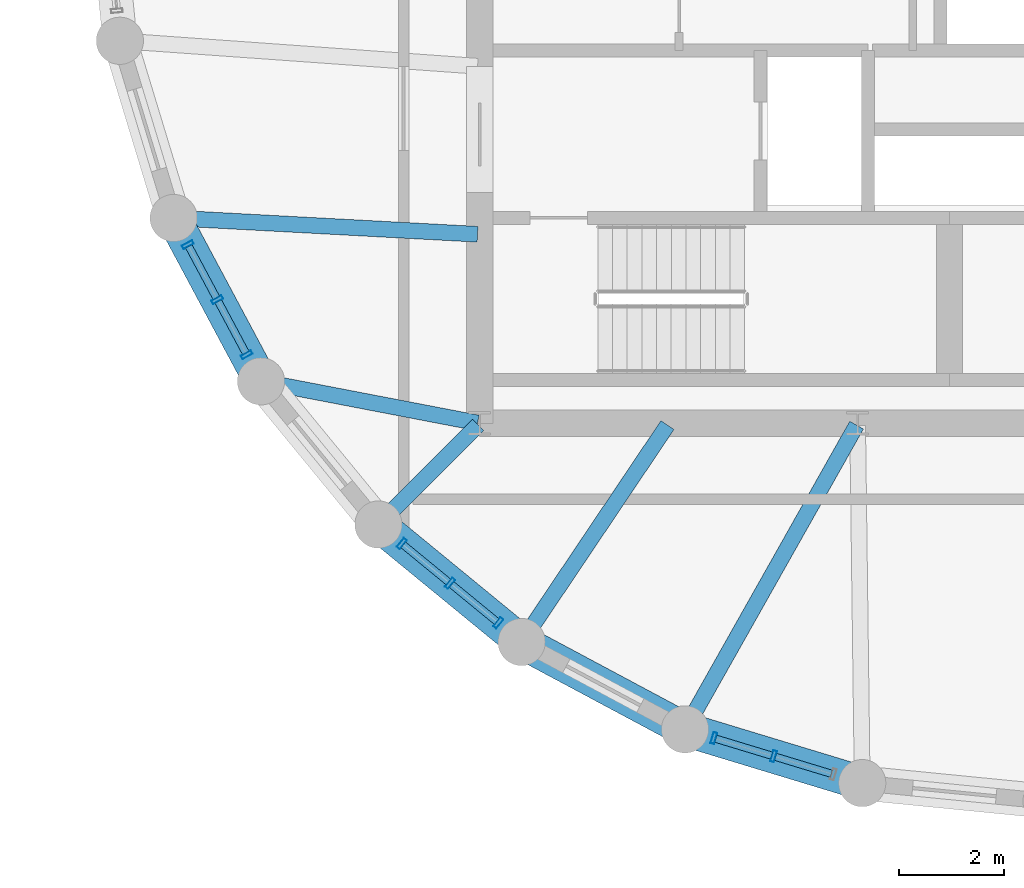
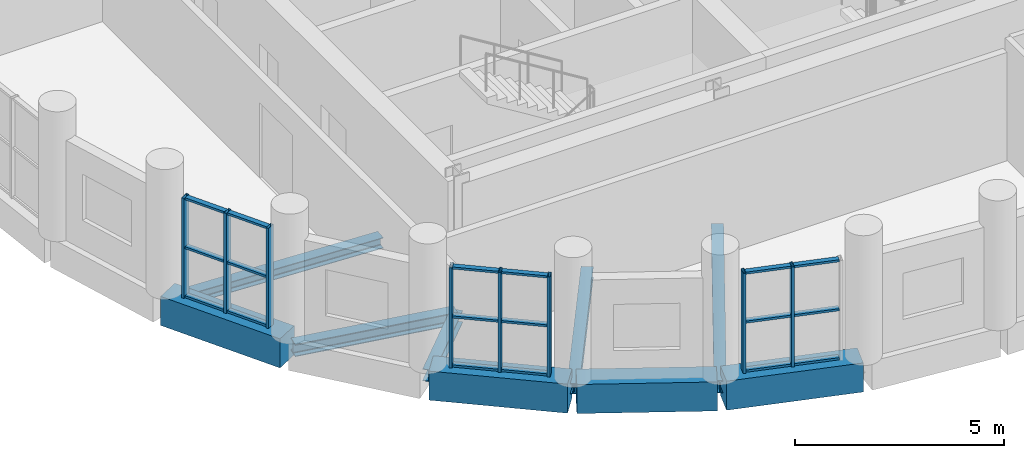
# One storey, part 2 of 14: 26 members, 9 beams, 3 elements without a shape of their own.
"""IFC4 building model written with IfcOpenShell, lengths in metres."""

import ifcopenshell
import ifcopenshell.guid

model = None  # the IFC model being written
_history = None  # IfcOwnerHistory: only IFC2X3 demands one
_inside = {}  # id of a spatial element -> (the spatial element, [elements in it])
_under = {}  # id of a project, library or spatial element -> (it, [spatial elements below it])
_declared = {}  # id of a project -> (the project, [libraries it declares])
_typed = {}  # id of a type object -> (the type object, [elements of that type])
_made_of = {}  # id of a material, layer set ... -> (it, [elements and type objects made of it])


def new_model(schema):
    """Start an empty IFC model of exactly this schema.

    Asked for "IFC4X3", IfcOpenShell would pick the latest addendum, in which some entities
    have other attributes; the version numbers below select the first issue.
    IFC2X3 requires an IfcOwnerHistory on every rooted entity: one is made here for all.
    """
    global model, _history
    if schema == "IFC4X3":
        model = ifcopenshell.file(schema_version=(4, 3, 0, 0))
    else:
        model = ifcopenshell.file(schema=schema)
    _inside.clear()
    _under.clear()
    _declared.clear()
    _typed.clear()
    _made_of.clear()
    _history = None
    if model.schema == "IFC2X3":
        org = make("IfcOrganization", Name="unknown")
        user = make(
            "IfcPersonAndOrganization",
            ThePerson=make("IfcPerson", FamilyName="unknown"),
            TheOrganization=org,
        )
        app = make(
            "IfcApplication",
            ApplicationDeveloper=org,
            Version="unknown",
            ApplicationFullName="unknown",
            ApplicationIdentifier="unknown",
        )
        _history = make(
            "IfcOwnerHistory",
            OwningUser=user,
            OwningApplication=app,
            ChangeAction="ADDED",
            CreationDate=0,
        )
    return model


def make(cls, **values):
    """One entity of the class cls with the attributes given. An attribute that is None is left unset."""
    return model.create_entity(
        cls, **{name: value for name, value in values.items() if value is not None}
    )


def rooted(cls, **values):
    """An entity with a GlobalId (a new one), such as an element, a storey or a relation."""
    return make(cls, GlobalId=ifcopenshell.guid.new(), OwnerHistory=_history, **values)


def si_unit(unit_type, name, prefix=None):
    """IfcSIUnit, for example si_unit("LENGTHUNIT", "METRE", prefix="MILLI")."""
    return make("IfcSIUnit", UnitType=unit_type, Prefix=prefix, Name=name)


def assignment(units):
    """IfcUnitAssignment: the units of a project."""
    return None if units is None else make("IfcUnitAssignment", Units=units)


def point(xyz):
    """IfcCartesianPoint."""
    return None if xyz is None else make("IfcCartesianPoint", Coordinates=xyz)


def direction(xyz):
    """IfcDirection."""
    return None if xyz is None else make("IfcDirection", DirectionRatios=xyz)


def frame(location, z_axis=None, x_axis=None):
    """IfcAxis2Placement3D, a coordinate frame: its origin and axes. An axis left out is left unset."""
    return make(
        "IfcAxis2Placement3D",
        Location=point(location),
        Axis=direction(z_axis),
        RefDirection=direction(x_axis),
    )


def frame_2d(location, x_axis=None):
    """IfcAxis2Placement2D, a coordinate frame in the plane: its origin and x axis."""
    return make(
        "IfcAxis2Placement2D", Location=point(location), RefDirection=direction(x_axis)
    )


def origin():
    """The frame at (0, 0, 0) with its axes left unset."""
    return frame((0.0, 0.0, 0.0))


def origin_2d():
    """The frame at (0, 0) in the plane with its x axis left unset."""
    return frame_2d((0.0, 0.0))


def place(relative_to, where):
    """IfcLocalPlacement: puts the frame where relative to a parent placement (None: the world)."""
    return make(
        "IfcLocalPlacement", PlacementRelTo=relative_to, RelativePlacement=where
    )


def context(
    kind, dimensions, precision=None, world=None, true_north=None, identifier=None
):
    """IfcGeometricRepresentationContext, for example the 3D "Model" context."""
    return make(
        "IfcGeometricRepresentationContext",
        ContextIdentifier=identifier,
        ContextType=kind,
        CoordinateSpaceDimension=dimensions,
        Precision=precision,
        WorldCoordinateSystem=world,
        TrueNorth=true_north,
    )


def subcontext(parent, identifier, kind, view, scale=None):
    """IfcGeometricRepresentationSubContext, for example "Body" below "Model"."""
    return make(
        "IfcGeometricRepresentationSubContext",
        ContextIdentifier=identifier,
        ContextType=kind,
        ParentContext=parent,
        TargetScale=scale,
        TargetView=view,
    )


def project(units=None, contexts=None):
    """IfcProject with its units and contexts."""
    return rooted(
        "IfcProject",
        Name="project",
        RepresentationContexts=contexts,
        UnitsInContext=assignment(units),
    )


def spatial(cls, under=None, at=None, **own):
    """A site, building, storey or space (cls), placed at a placement, below another one or the project."""
    s = rooted(cls, ObjectPlacement=at, **own)
    if under is not None:
        _under.setdefault(under.id(), (under, []))[1].append(s)
    return s


def profile(cls, at=None, kind="AREA", **sizes):
    """A parametric profile (cls). Its sizes go by their IFC names, for example OverallWidth=200.0."""
    return make(cls, ProfileType=kind, Position=at, **sizes)


def rectangle(**sizes):
    """IfcRectangleProfileDef."""
    return profile("IfcRectangleProfileDef", **sizes)


def hollow_rectangle(**sizes):
    """IfcRectangleHollowProfileDef."""
    return profile("IfcRectangleHollowProfileDef", **sizes)


def i_section(**sizes):
    """IfcIShapeProfileDef."""
    return profile("IfcIShapeProfileDef", **sizes)


def extrude(swept, where, along, depth):
    """IfcExtrudedAreaSolid: the profile swept, set in the frame where, extruded along a direction by depth."""
    return make(
        "IfcExtrudedAreaSolid",
        SweptArea=swept,
        Position=where,
        ExtrudedDirection=direction(along),
        Depth=depth,
    )


def shape(context_of_items, identifier, shape_type, items):
    """IfcShapeRepresentation: the items that make up one representation, for example the "Body"."""
    return make(
        "IfcShapeRepresentation",
        ContextOfItems=context_of_items,
        RepresentationIdentifier=identifier,
        RepresentationType=shape_type,
        Items=items,
    )


def material(Name=None, Category=None):
    """IfcMaterial."""
    return make("IfcMaterial", Name=Name, Category=Category)


def layer(
    of_material, thickness, ventilated=None, Name=None, Category=None, Priority=None
):
    """IfcMaterialLayer: one layer of a wall or slab, of a material (None: an air gap)."""
    return make(
        "IfcMaterialLayer",
        Material=of_material,
        LayerThickness=thickness,
        IsVentilated=ventilated,
        Name=Name,
        Category=Category,
        Priority=Priority,
    )


def layer_set(layers, Name=None):
    """IfcMaterialLayerSet."""
    return make("IfcMaterialLayerSet", MaterialLayers=layers, LayerSetName=Name)


def material_profile(
    of_material, cross_section, Name=None, Category=None, Priority=None
):
    """IfcMaterialProfile: a cross section and its material."""
    return make(
        "IfcMaterialProfile",
        Name=Name,
        Material=of_material,
        Profile=cross_section,
        Priority=Priority,
        Category=Category,
    )


def profile_set(profiles, Name=None, composite=None):
    """IfcMaterialProfileSet."""
    return make(
        "IfcMaterialProfileSet",
        Name=Name,
        MaterialProfiles=profiles,
        CompositeProfile=composite,
    )


def made_of(thing, what):
    """Note that an element or type object is made of a material, layer set ...; save() writes the relation."""
    if what is not None:
        _made_of.setdefault(what.id(), (what, []))[1].append(thing)
    return thing


def type_object(cls, material=None, **own):
    """A type object (cls), such as IfcWallType, which elements share."""
    return made_of(rooted(cls, **own), material)


def element(
    cls,
    number,
    at=None,
    inside=None,
    cuts=None,
    type_object=None,
    material=None,
    context=None,
    identifier="Body",
    shape_type=None,
    held_by="IfcProductDefinitionShape",
    body=None,
    shapes=None,
    **own,
):
    """One element of the class cls, such as IfcWall. Its Tag is "e" and its number.

    at: its placement. inside: the storey or other place that contains it. cuts: it is an
    opening in that element (IfcRelVoidsElement). A single representation is given by context,
    identifier, shape_type and body (its items); several are given by shapes. held_by: the class
    of the entity that holds the representations. save() writes the other relations.
    """
    e = rooted(cls, Tag="e%d" % number, ObjectPlacement=at, **own)
    if body is not None:
        shapes = [shape(context, identifier, shape_type, body)]
    if shapes is not None:
        e.Representation = make(held_by, Representations=shapes)
    if inside is not None:
        _inside.setdefault(inside.id(), (inside, []))[1].append(e)
    if cuts is not None:
        rooted(
            "IfcRelVoidsElement", RelatingBuildingElement=cuts, RelatedOpeningElement=e
        )
    if type_object is not None:
        _typed.setdefault(type_object.id(), (type_object, []))[1].append(e)
    return made_of(e, material)


def aggregate(whole, parts):
    """IfcRelAggregates: a whole, such as a stair, and the parts it consists of."""
    return rooted("IfcRelAggregates", RelatingObject=whole, RelatedObjects=parts)


def save(model, path):
    """Write the relations noted so far, then the file.

    IfcRelAggregates (storeys below a building ...), IfcRelContainedInSpatialStructure (elements
    in a storey), IfcRelDefinesByType, IfcRelAssociatesMaterial and IfcRelDeclares: one each for
    every whole, place, type object, material and project.
    """
    for whole, parts in _under.values():
        aggregate(whole, parts)
    for where, things in _inside.values():
        rooted(
            "IfcRelContainedInSpatialStructure",
            RelatedElements=things,
            RelatingStructure=where,
        )
    for kind, things in _typed.values():
        rooted("IfcRelDefinesByType", RelatedObjects=things, RelatingType=kind)
    for what, things in _made_of.values():
        rooted("IfcRelAssociatesMaterial", RelatedObjects=things, RelatingMaterial=what)
    for by, libraries in _declared.values():
        rooted("IfcRelDeclares", RelatingContext=by, RelatedDefinitions=libraries)
    model.write(path)


model = new_model("IFC4")

# Units and contexts
model_context = context("Model", 3, precision=1e-05, world=origin(), true_north=direction((0.0, 1.0)))
body_context = subcontext(model_context, "Body", "Model", "MODEL_VIEW")
ifc_project = project(units=[si_unit("LENGTHUNIT", "METRE"), si_unit("AREAUNIT", "SQUARE_METRE"), si_unit("VOLUMEUNIT", "CUBIC_METRE"), si_unit("PLANEANGLEUNIT", "RADIAN"), si_unit("MASSUNIT", "GRAM", prefix="KILO")], contexts=[model_context])

# Site, building, storey
site_placement = place(None, origin())
site = spatial("IfcSite", under=ifc_project, at=site_placement, CompositionType="ELEMENT")
building_placement = place(site_placement, origin())
building = spatial("IfcBuilding", under=site, at=building_placement, Name="Solnavia Interchange Tower", CompositionType="ELEMENT")
storey_placement = place(building_placement, frame((0.0, 0.0, 158.0)))
storey = spatial("IfcBuildingStorey", under=building, at=storey_placement, Name="L39", CompositionType="ELEMENT", Elevation=158.0)

# Beams
ifc_material_1 = material(Name="Steel S460", Category="steel")
ifc_material_profile_1 = material_profile(ifc_material_1, i_section(OverallWidth=0.300048828125, OverallDepth=0.360107421875, WebThickness=0.012451171875, FlangeThickness=0.0224609375, FilletRadius=0.027099609375, at=origin_2d()), Name="HEB 360")
ifc_profile_set_1 = profile_set([ifc_material_profile_1], Name="Steel S460")
beam_type_1 = type_object("IfcBeamType", Name="Beam-Girder-HEB360", PredefinedType="BEAM", material=ifc_profile_set_1)
beam_1_placement = place(storey_placement, frame((10.3125, 11.5849609375, -0.429931640625), z_axis=(0.982057527796, -0.188581579428, 0.0), x_axis=(0.188581579428, 0.982057527796, 0.0)))
element("IfcBeam", 1, at=beam_1_placement, inside=storey, type_object=beam_type_1, Name="GRD-L39-DR16 Drum radial floor girder", PredefinedType="BEAM", context=body_context, shape_type="SweptSolid", body=[
    extrude(i_section(OverallWidth=0.300048828125, OverallDepth=0.360107421875, WebThickness=0.012451171875, FlangeThickness=0.0224609375, FilletRadius=0.027099609375, at=origin_2d()), origin(), (0.0, 0.0, 1.0), 4.1220703125),
])
beam_2_placement = place(storey_placement, frame((18.351318359375, 5.039794921875, -0.429931640625), z_axis=(0.491243158486, 0.871022479182, 0.0), x_axis=(-0.871022479182, 0.491243158486, 0.0)))
element("IfcBeam", 2, at=beam_2_placement, inside=storey, type_object=beam_type_1, Name="GRD-L39-DR19 Drum radial floor girder", PredefinedType="BEAM", context=body_context, shape_type="SweptSolid", body=[
    extrude(i_section(OverallWidth=0.300048828125, OverallDepth=0.360107421875, WebThickness=0.012451171875, FlangeThickness=0.0224609375, FilletRadius=0.027099609375, at=origin_2d()), origin(), (0.0, 0.0, 1.0), 6.5732421875),
])
ifc_material_2 = material(Name="Steel S355", Category="steel")
ifc_material_profile_2 = material_profile(ifc_material_2, i_section(OverallWidth=0.300048828125, OverallDepth=0.31005859375, WebThickness=0.009033203125, FlangeThickness=0.015380859375, FilletRadius=0.027099609375, at=origin_2d()), Name="HEA 320")
ifc_profile_set_2 = profile_set([ifc_material_profile_2], Name="Steel S355")
beam_type_2 = type_object("IfcBeamType", Name="Beam-Primary-HEA320", PredefinedType="BEAM", material=ifc_profile_set_2)
beam_3_placement = place(storey_placement, frame((8.64990234375, 14.707763671875, -0.405029296875), z_axis=(0.998570371303, -0.053452909696, 0.0), x_axis=(0.053452909696, 0.998570371303, 0.0)))
element("IfcBeam", 3, at=beam_3_placement, inside=storey, type_object=beam_type_2, Name="GRD-L39-DR15 Drum radial floor girder", PredefinedType="BEAM", context=body_context, shape_type="SweptSolid", body=[
    extrude(i_section(OverallWidth=0.300048828125, OverallDepth=0.31005859375, WebThickness=0.009033203125, FlangeThickness=0.015380859375, FilletRadius=0.027099609375, at=origin_2d()), origin(), (0.0, 0.0, 1.0), 5.71826171875),
])
beam_4_placement = place(storey_placement, frame((15.24462890625, 6.700439453125, -0.405029296875), z_axis=(0.557835474219, 0.829951555033, 0.0), x_axis=(-0.829951555033, 0.557835474219, 0.0)))
element("IfcBeam", 4, at=beam_4_placement, inside=storey, type_object=beam_type_2, Name="GRD-L39-DR18 Drum radial floor girder", PredefinedType="BEAM", context=body_context, shape_type="SweptSolid", body=[
    extrude(i_section(OverallWidth=0.300048828125, OverallDepth=0.31005859375, WebThickness=0.009033203125, FlangeThickness=0.015380859375, FilletRadius=0.027099609375, at=origin_2d()), origin(), (0.0, 0.0, 1.0), 4.899658203125),
])
ifc_material_profile_3 = material_profile(ifc_material_2, i_section(OverallWidth=0.300048828125, OverallDepth=0.35009765625, WebThickness=0.010009765625, FlangeThickness=0.017578125, FilletRadius=0.027099609375, at=origin_2d()), Name="HEA 360")
ifc_profile_set_3 = profile_set([ifc_material_profile_3], Name="Steel S355")
beam_type_3 = type_object("IfcBeamType", Name="Beam-Primary-HEA360", PredefinedType="BEAM", material=ifc_profile_set_3)
beam_5_placement = place(storey_placement, frame((12.528564453125, 8.9287109375, -0.425048828125), z_axis=(0.707106781187, 0.707106781187, 0.0), x_axis=(-0.707106781187, 0.707106781187, 0.0)))
element("IfcBeam", 5, at=beam_5_placement, inside=storey, type_object=beam_type_3, Name="GRD-L39-DR17 Drum radial floor girder", PredefinedType="BEAM", context=body_context, shape_type="SweptSolid", body=[
    extrude(i_section(OverallWidth=0.300048828125, OverallDepth=0.35009765625, WebThickness=0.010009765625, FlangeThickness=0.017578125, FilletRadius=0.027099609375, at=origin_2d()), origin(), (0.0, 0.0, 1.0), 2.6064453125),
])
ifc_material_3 = material(Name="Concrete C50/60", Category="concrete")
ifc_material_profile_4 = material_profile(ifc_material_3, rectangle(XDim=0.64990234375, YDim=0.85009765625, at=origin_2d()), Name="RC 650x850")
ifc_profile_set_4 = profile_set([ifc_material_profile_4], Name="Concrete C50/60")
beam_type_4 = type_object("IfcBeamType", Name="Beam-Spandrel-RC650x850", PredefinedType="SPANDREL", material=ifc_profile_set_4)
beam_6_placement = place(storey_placement, frame((8.607666015625, 14.6416015625, -0.425048828125), z_axis=(0.471509422952, -0.881861023102, 0.0), x_axis=(0.881861023102, 0.471509422952, 0.0)))
element("IfcBeam", 6, at=beam_6_placement, inside=storey, type_object=beam_type_4, Name="SPB-L39-03 Framed-tube perimeter spandrel beam", PredefinedType="SPANDREL", context=body_context, shape_type="SweptSolid", body=[
    extrude(rectangle(XDim=0.64990234375, YDim=0.85009765625, at=origin_2d()), origin(), (0.0, 0.0, 1.0), 3.369140625),
])
beam_7_placement = place(storey_placement, frame((12.53369140625, 8.8212890625, -0.425048828125), z_axis=(0.773152644452, -0.634219984214, 0.0), x_axis=(0.634219984214, 0.773152644452, 0.0)))
element("IfcBeam", 7, at=beam_7_placement, inside=storey, type_object=beam_type_4, Name="SPB-L39-05 Framed-tube perimeter spandrel beam", PredefinedType="SPANDREL", context=body_context, shape_type="SweptSolid", body=[
    extrude(rectangle(XDim=0.64990234375, YDim=0.85009765625, at=origin_2d()), origin(), (0.0, 0.0, 1.0), 3.36865234375),
])
beam_8_placement = place(storey_placement, frame((15.2705078125, 6.59619140625, -0.425048828125), z_axis=(0.881875044348, -0.47148319817, 0.0), x_axis=(0.47148319817, 0.881875044348, 0.0)))
element("IfcBeam", 8, at=beam_8_placement, inside=storey, type_object=beam_type_4, Name="SPB-L39-06 Framed-tube perimeter spandrel beam", PredefinedType="SPANDREL", context=body_context, shape_type="SweptSolid", body=[
    extrude(rectangle(XDim=0.64990234375, YDim=0.85009765625, at=origin_2d()), origin(), (0.0, 0.0, 1.0), 3.368896484375),
])
beam_9_placement = place(storey_placement, frame((18.388671875, 4.94677734375, -0.425048828125), z_axis=(0.956943884494, -0.290272978297, 0.0), x_axis=(0.290272978297, 0.956943884494, 0.0)))
element("IfcBeam", 9, at=beam_9_placement, inside=storey, type_object=beam_type_4, Name="SPB-L39-07 Framed-tube perimeter spandrel beam", PredefinedType="SPANDREL", context=body_context, shape_type="SweptSolid", body=[
    extrude(rectangle(XDim=0.64990234375, YDim=0.85009765625, at=origin_2d()), origin(), (0.0, 0.0, 1.0), 3.36767578125),
])

# Curtain wall, members
ifc_material_4 = material(Name="Aluminium Alloy 6063-T6", Category="aluminium")
ifc_layer = layer(ifc_material_4, 0.239990234375)
ifc_layer_set = layer_set([ifc_layer], Name="Aluminium Alloy 6063-T6")
curtain_wall_type = type_object("IfcCurtainWallType", Name="CurtainWall-Drum-CTW2", PredefinedType="NOTDEFINED", material=ifc_layer_set)
curtain_wall_1_placement = place(storey_placement, origin())
curtain_wall_1 = element("IfcCurtainWall", 10, at=curtain_wall_1_placement, inside=storey, type_object=curtain_wall_type, Name="CTW-L39-D53 CTW-2 curtain wall", PredefinedType="NOTDEFINED")
ifc_material_profile_5 = material_profile(ifc_material_4, hollow_rectangle(XDim=0.074951171875, YDim=0.219970703125, WallThickness=0.0048828125, at=origin_2d()), Name="ALU 220x75x5")
ifc_profile_set_5 = profile_set([ifc_material_profile_5], Name="Aluminium Alloy 6063-T6")
member_type_1 = type_object("IfcMemberType", Name="CW-Mullion-CWM-2", PredefinedType="MULLION", material=ifc_profile_set_5)
member_1_placement = place(storey_placement, frame((8.841064453125, 14.204833984375, 0.0), z_axis=(0.0, 0.0, 1.0), x_axis=(0.471560876964, -0.881833509976, 0.0)))
member_1 = element("IfcMember", 11, at=member_1_placement, type_object=member_type_1, Name="CTW-2 mullion 1", PredefinedType="MULLION", context=body_context, shape_type="SweptSolid", body=[
    extrude(hollow_rectangle(XDim=0.074951171875, YDim=0.219970703125, WallThickness=0.0048828125, at=origin_2d()), origin(), (0.0, 0.0, 1.0), 2.929931640625),
])
member_2_placement = place(storey_placement, frame((9.402099609375, 13.156005859375, 0.0), z_axis=(0.0, 0.0, 1.0), x_axis=(0.471560876964, -0.881833509976, 0.0)))
member_2 = element("IfcMember", 12, at=member_2_placement, type_object=member_type_1, Name="CTW-2 mullion 2", PredefinedType="MULLION", context=body_context, shape_type="SweptSolid", body=[
    extrude(hollow_rectangle(XDim=0.074951171875, YDim=0.219970703125, WallThickness=0.0048828125, at=origin_2d()), origin(), (0.0, 0.0, 1.0), 2.929931640625),
])
member_3_placement = place(storey_placement, frame((9.962890625, 12.107177734375, 0.0), z_axis=(0.0, 0.0, 1.0), x_axis=(0.471560876964, -0.881833509976, 0.0)))
member_3 = element("IfcMember", 13, at=member_3_placement, type_object=member_type_1, Name="CTW-2 mullion 3", PredefinedType="MULLION", context=body_context, shape_type="SweptSolid", body=[
    extrude(hollow_rectangle(XDim=0.074951171875, YDim=0.219970703125, WallThickness=0.0048828125, at=origin_2d()), origin(), (0.0, 0.0, 1.0), 2.929931640625),
])

curtain_wall_2_placement = place(storey_placement, origin())
curtain_wall_2 = element("IfcCurtainWall", 14, at=curtain_wall_2_placement, inside=storey, type_object=curtain_wall_type, Name="CTW-L39-D55 CTW-2 curtain wall", PredefinedType="NOTDEFINED")
member_4_placement = place(storey_placement, frame((12.91650390625, 8.50732421875, 0.0), z_axis=(0.0, 0.0, 1.0), x_axis=(0.773103093557, -0.634280384951, 0.0)))
member_4 = element("IfcMember", 15, at=member_4_placement, type_object=member_type_1, Name="CTW-2 mullion 1", PredefinedType="MULLION", context=body_context, shape_type="SweptSolid", body=[
    extrude(hollow_rectangle(XDim=0.074951171875, YDim=0.219970703125, WallThickness=0.0048828125, at=origin_2d()), origin(), (0.0, 0.0, 1.0), 2.929931640625),
])
member_5_placement = place(storey_placement, frame((13.8359375, 7.7529296875, 0.0), z_axis=(0.0, 0.0, 1.0), x_axis=(0.773103093557, -0.634280384951, 0.0)))
member_5 = element("IfcMember", 16, at=member_5_placement, type_object=member_type_1, Name="CTW-2 mullion 2", PredefinedType="MULLION", context=body_context, shape_type="SweptSolid", body=[
    extrude(hollow_rectangle(XDim=0.074951171875, YDim=0.219970703125, WallThickness=0.0048828125, at=origin_2d()), origin(), (0.0, 0.0, 1.0), 2.929931640625),
])
member_6_placement = place(storey_placement, frame((14.75537109375, 6.998779296875, 0.0), z_axis=(0.0, 0.0, 1.0), x_axis=(0.773103093557, -0.634280384951, 0.0)))
member_6 = element("IfcMember", 17, at=member_6_placement, type_object=member_type_1, Name="CTW-2 mullion 3", PredefinedType="MULLION", context=body_context, shape_type="SweptSolid", body=[
    extrude(hollow_rectangle(XDim=0.074951171875, YDim=0.219970703125, WallThickness=0.0048828125, at=origin_2d()), origin(), (0.0, 0.0, 1.0), 2.929931640625),
])

curtain_wall_3_placement = place(storey_placement, origin())
curtain_wall_3 = element("IfcCurtainWall", 18, at=curtain_wall_3_placement, inside=storey, type_object=curtain_wall_type, Name="CTW-L39-D57 CTW-2 curtain wall", PredefinedType="NOTDEFINED")
member_7_placement = place(storey_placement, frame((18.8623046875, 4.80322265625, 0.0), z_axis=(0.0, 0.0, 1.0), x_axis=(0.956942072515, -0.290278951786, 0.0)))
member_7 = element("IfcMember", 19, at=member_7_placement, type_object=member_type_1, Name="CTW-2 mullion 1", PredefinedType="MULLION", context=body_context, shape_type="SweptSolid", body=[
    extrude(hollow_rectangle(XDim=0.074951171875, YDim=0.219970703125, WallThickness=0.0048828125, at=origin_2d()), origin(), (0.0, 0.0, 1.0), 2.929931640625),
])
member_8_placement = place(storey_placement, frame((20.0, 4.4580078125, 0.0), z_axis=(0.0, 0.0, 1.0), x_axis=(0.956942072515, -0.290278951786, 0.0)))
member_8 = element("IfcMember", 20, at=member_8_placement, type_object=member_type_1, Name="CTW-2 mullion 2", PredefinedType="MULLION", context=body_context, shape_type="SweptSolid", body=[
    extrude(hollow_rectangle(XDim=0.074951171875, YDim=0.219970703125, WallThickness=0.0048828125, at=origin_2d()), origin(), (0.0, 0.0, 1.0), 2.929931640625),
])

# Member
ifc_material_profile_6 = material_profile(ifc_material_4, hollow_rectangle(XDim=0.06494140625, YDim=0.139892578125, WallThickness=0.00390625, at=origin_2d()), Name="ALU 140x65x4")
ifc_profile_set_6 = profile_set([ifc_material_profile_6], Name="Aluminium Alloy 6063-T6")
member_type_2 = type_object("IfcMemberType", Name="CW-Transom-CWT-2", PredefinedType="USERDEFINED", material=ifc_profile_set_6)
member_9_placement = place(storey_placement, frame((8.85888671875, 14.171875, 0.032470703125), z_axis=(0.471406647105, -0.881915967122, 0.0), x_axis=(0.0, 0.0, 1.0)))
member_9 = element("IfcMember", 21, at=member_9_placement, type_object=member_type_2, Name="CTW-2 transom 1.1", ObjectType="TRANSOM", PredefinedType="USERDEFINED", context=body_context, shape_type="SweptSolid", body=[
    extrude(hollow_rectangle(XDim=0.06494140625, YDim=0.139892578125, WallThickness=0.00390625, at=origin_2d()), origin(), (0.0, 0.0, 1.0), 1.114501953125),
])

member_10_placement = place(storey_placement, frame((8.85888671875, 14.171875, 1.465087890625), z_axis=(0.471406647105, -0.881915967122, 0.0), x_axis=(0.0, 0.0, 1.0)))
member_10 = element("IfcMember", 22, at=member_10_placement, type_object=member_type_2, Name="CTW-2 transom 1.2", ObjectType="TRANSOM", PredefinedType="USERDEFINED", context=body_context, shape_type="SweptSolid", body=[
    extrude(hollow_rectangle(XDim=0.06494140625, YDim=0.139892578125, WallThickness=0.00390625, at=origin_2d()), origin(), (0.0, 0.0, 1.0), 1.114501953125),
])

member_11_placement = place(storey_placement, frame((8.85888671875, 14.171875, 2.8974609375), z_axis=(0.471406647105, -0.881915967122, 0.0), x_axis=(0.0, 0.0, 1.0)))
member_11 = element("IfcMember", 23, at=member_11_placement, type_object=member_type_2, Name="CTW-2 transom 1.3", ObjectType="TRANSOM", PredefinedType="USERDEFINED", context=body_context, shape_type="SweptSolid", body=[
    extrude(hollow_rectangle(XDim=0.06494140625, YDim=0.139892578125, WallThickness=0.00390625, at=origin_2d()), origin(), (0.0, 0.0, 1.0), 1.114501953125),
])

member_12_placement = place(storey_placement, frame((9.419677734375, 13.123046875, 0.032470703125), z_axis=(0.471576996491, -0.881824889862, 0.0), x_axis=(0.0, 0.0, 1.0)))
member_12 = element("IfcMember", 24, at=member_12_placement, type_object=member_type_2, Name="CTW-2 transom 2.1", ObjectType="TRANSOM", PredefinedType="USERDEFINED", context=body_context, shape_type="SweptSolid", body=[
    extrude(hollow_rectangle(XDim=0.06494140625, YDim=0.139892578125, WallThickness=0.00390625, at=origin_2d()), origin(), (0.0, 0.0, 1.0), 1.11474609375),
])

member_13_placement = place(storey_placement, frame((9.419677734375, 13.123046875, 1.465087890625), z_axis=(0.471576996491, -0.881824889862, 0.0), x_axis=(0.0, 0.0, 1.0)))
member_13 = element("IfcMember", 25, at=member_13_placement, type_object=member_type_2, Name="CTW-2 transom 2.2", ObjectType="TRANSOM", PredefinedType="USERDEFINED", context=body_context, shape_type="SweptSolid", body=[
    extrude(hollow_rectangle(XDim=0.06494140625, YDim=0.139892578125, WallThickness=0.00390625, at=origin_2d()), origin(), (0.0, 0.0, 1.0), 1.11474609375),
])

member_14_placement = place(storey_placement, frame((9.419677734375, 13.123046875, 2.8974609375), z_axis=(0.471576996491, -0.881824889862, 0.0), x_axis=(0.0, 0.0, 1.0)))
member_14 = element("IfcMember", 26, at=member_14_placement, type_object=member_type_2, Name="CTW-2 transom 2.3", ObjectType="TRANSOM", PredefinedType="USERDEFINED", context=body_context, shape_type="SweptSolid", body=[
    extrude(hollow_rectangle(XDim=0.06494140625, YDim=0.139892578125, WallThickness=0.00390625, at=origin_2d()), origin(), (0.0, 0.0, 1.0), 1.11474609375),
])

aggregate(curtain_wall_1, [member_1, member_2, member_3, member_9, member_10, member_11, member_12, member_13, member_14])

member_15_placement = place(storey_placement, frame((12.945556640625, 8.483642578125, 0.032470703125), z_axis=(0.773136723636, -0.634239392158, 0.0), x_axis=(0.0, 0.0, 1.0)))
member_15 = element("IfcMember", 27, at=member_15_placement, type_object=member_type_2, Name="CTW-2 transom 1.1", ObjectType="TRANSOM", PredefinedType="USERDEFINED", context=body_context, shape_type="SweptSolid", body=[
    extrude(hollow_rectangle(XDim=0.06494140625, YDim=0.139892578125, WallThickness=0.00390625, at=origin_2d()), origin(), (0.0, 0.0, 1.0), 1.114501953125),
])

member_16_placement = place(storey_placement, frame((12.945556640625, 8.483642578125, 1.465087890625), z_axis=(0.773136723636, -0.634239392158, 0.0), x_axis=(0.0, 0.0, 1.0)))
member_16 = element("IfcMember", 28, at=member_16_placement, type_object=member_type_2, Name="CTW-2 transom 1.2", ObjectType="TRANSOM", PredefinedType="USERDEFINED", context=body_context, shape_type="SweptSolid", body=[
    extrude(hollow_rectangle(XDim=0.06494140625, YDim=0.139892578125, WallThickness=0.00390625, at=origin_2d()), origin(), (0.0, 0.0, 1.0), 1.114501953125),
])

member_17_placement = place(storey_placement, frame((12.945556640625, 8.483642578125, 2.8974609375), z_axis=(0.773136723636, -0.634239392158, 0.0), x_axis=(0.0, 0.0, 1.0)))
member_17 = element("IfcMember", 29, at=member_17_placement, type_object=member_type_2, Name="CTW-2 transom 1.3", ObjectType="TRANSOM", PredefinedType="USERDEFINED", context=body_context, shape_type="SweptSolid", body=[
    extrude(hollow_rectangle(XDim=0.06494140625, YDim=0.139892578125, WallThickness=0.00390625, at=origin_2d()), origin(), (0.0, 0.0, 1.0), 1.114501953125),
])

member_18_placement = place(storey_placement, frame((13.864990234375, 7.729248046875, 0.032470703125), z_axis=(0.773048573819, -0.634346831407, 0.0), x_axis=(0.0, 0.0, 1.0)))
member_18 = element("IfcMember", 30, at=member_18_placement, type_object=member_type_2, Name="CTW-2 transom 2.1", ObjectType="TRANSOM", PredefinedType="USERDEFINED", context=body_context, shape_type="SweptSolid", body=[
    extrude(hollow_rectangle(XDim=0.06494140625, YDim=0.139892578125, WallThickness=0.00390625, at=origin_2d()), origin(), (0.0, 0.0, 1.0), 1.1142578125),
])

member_19_placement = place(storey_placement, frame((13.864990234375, 7.729248046875, 1.465087890625), z_axis=(0.773048573819, -0.634346831407, 0.0), x_axis=(0.0, 0.0, 1.0)))
member_19 = element("IfcMember", 31, at=member_19_placement, type_object=member_type_2, Name="CTW-2 transom 2.2", ObjectType="TRANSOM", PredefinedType="USERDEFINED", context=body_context, shape_type="SweptSolid", body=[
    extrude(hollow_rectangle(XDim=0.06494140625, YDim=0.139892578125, WallThickness=0.00390625, at=origin_2d()), origin(), (0.0, 0.0, 1.0), 1.1142578125),
])

member_20_placement = place(storey_placement, frame((13.864990234375, 7.729248046875, 2.8974609375), z_axis=(0.773048573819, -0.634346831407, 0.0), x_axis=(0.0, 0.0, 1.0)))
member_20 = element("IfcMember", 32, at=member_20_placement, type_object=member_type_2, Name="CTW-2 transom 2.3", ObjectType="TRANSOM", PredefinedType="USERDEFINED", context=body_context, shape_type="SweptSolid", body=[
    extrude(hollow_rectangle(XDim=0.06494140625, YDim=0.139892578125, WallThickness=0.00390625, at=origin_2d()), origin(), (0.0, 0.0, 1.0), 1.1142578125),
])

aggregate(curtain_wall_2, [member_4, member_5, member_6, member_15, member_16, member_17, member_18, member_19, member_20])

member_21_placement = place(storey_placement, frame((18.898193359375, 4.792236328125, 0.032470703125), z_axis=(0.956965394332, -0.290202057283, 0.0), x_axis=(0.0, 0.0, 1.0)))
member_21 = element("IfcMember", 33, at=member_21_placement, type_object=member_type_2, Name="CTW-2 transom 1.1", ObjectType="TRANSOM", PredefinedType="USERDEFINED", context=body_context, shape_type="SweptSolid", body=[
    extrude(hollow_rectangle(XDim=0.06494140625, YDim=0.139892578125, WallThickness=0.00390625, at=origin_2d()), origin(), (0.0, 0.0, 1.0), 1.11376953125),
])

member_22_placement = place(storey_placement, frame((18.898193359375, 4.792236328125, 1.465087890625), z_axis=(0.956965394332, -0.290202057283, 0.0), x_axis=(0.0, 0.0, 1.0)))
member_22 = element("IfcMember", 34, at=member_22_placement, type_object=member_type_2, Name="CTW-2 transom 1.2", ObjectType="TRANSOM", PredefinedType="USERDEFINED", context=body_context, shape_type="SweptSolid", body=[
    extrude(hollow_rectangle(XDim=0.06494140625, YDim=0.139892578125, WallThickness=0.00390625, at=origin_2d()), origin(), (0.0, 0.0, 1.0), 1.11376953125),
])

member_23_placement = place(storey_placement, frame((18.898193359375, 4.792236328125, 2.8974609375), z_axis=(0.956965394332, -0.290202057283, 0.0), x_axis=(0.0, 0.0, 1.0)))
member_23 = element("IfcMember", 35, at=member_23_placement, type_object=member_type_2, Name="CTW-2 transom 1.3", ObjectType="TRANSOM", PredefinedType="USERDEFINED", context=body_context, shape_type="SweptSolid", body=[
    extrude(hollow_rectangle(XDim=0.06494140625, YDim=0.139892578125, WallThickness=0.00390625, at=origin_2d()), origin(), (0.0, 0.0, 1.0), 1.11376953125),
])

member_24_placement = place(storey_placement, frame((20.035888671875, 4.447021484375, 0.032470703125), z_axis=(0.956965394332, -0.290202057283, 0.0), x_axis=(0.0, 0.0, 1.0)))
member_24 = element("IfcMember", 36, at=member_24_placement, type_object=member_type_2, Name="CTW-2 transom 2.1", ObjectType="TRANSOM", PredefinedType="USERDEFINED", context=body_context, shape_type="SweptSolid", body=[
    extrude(hollow_rectangle(XDim=0.06494140625, YDim=0.139892578125, WallThickness=0.00390625, at=origin_2d()), origin(), (0.0, 0.0, 1.0), 1.11376953125),
])

member_25_placement = place(storey_placement, frame((20.035888671875, 4.447021484375, 1.465087890625), z_axis=(0.956965394332, -0.290202057283, 0.0), x_axis=(0.0, 0.0, 1.0)))
member_25 = element("IfcMember", 37, at=member_25_placement, type_object=member_type_2, Name="CTW-2 transom 2.2", ObjectType="TRANSOM", PredefinedType="USERDEFINED", context=body_context, shape_type="SweptSolid", body=[
    extrude(hollow_rectangle(XDim=0.06494140625, YDim=0.139892578125, WallThickness=0.00390625, at=origin_2d()), origin(), (0.0, 0.0, 1.0), 1.11376953125),
])

member_26_placement = place(storey_placement, frame((20.035888671875, 4.447021484375, 2.8974609375), z_axis=(0.956965394332, -0.290202057283, 0.0), x_axis=(0.0, 0.0, 1.0)))
member_26 = element("IfcMember", 38, at=member_26_placement, type_object=member_type_2, Name="CTW-2 transom 2.3", ObjectType="TRANSOM", PredefinedType="USERDEFINED", context=body_context, shape_type="SweptSolid", body=[
    extrude(hollow_rectangle(XDim=0.06494140625, YDim=0.139892578125, WallThickness=0.00390625, at=origin_2d()), origin(), (0.0, 0.0, 1.0), 1.11376953125),
])

aggregate(curtain_wall_3, [member_7, member_8, member_21, member_22, member_23, member_24, member_25, member_26])

save(model, "model.ifc")
